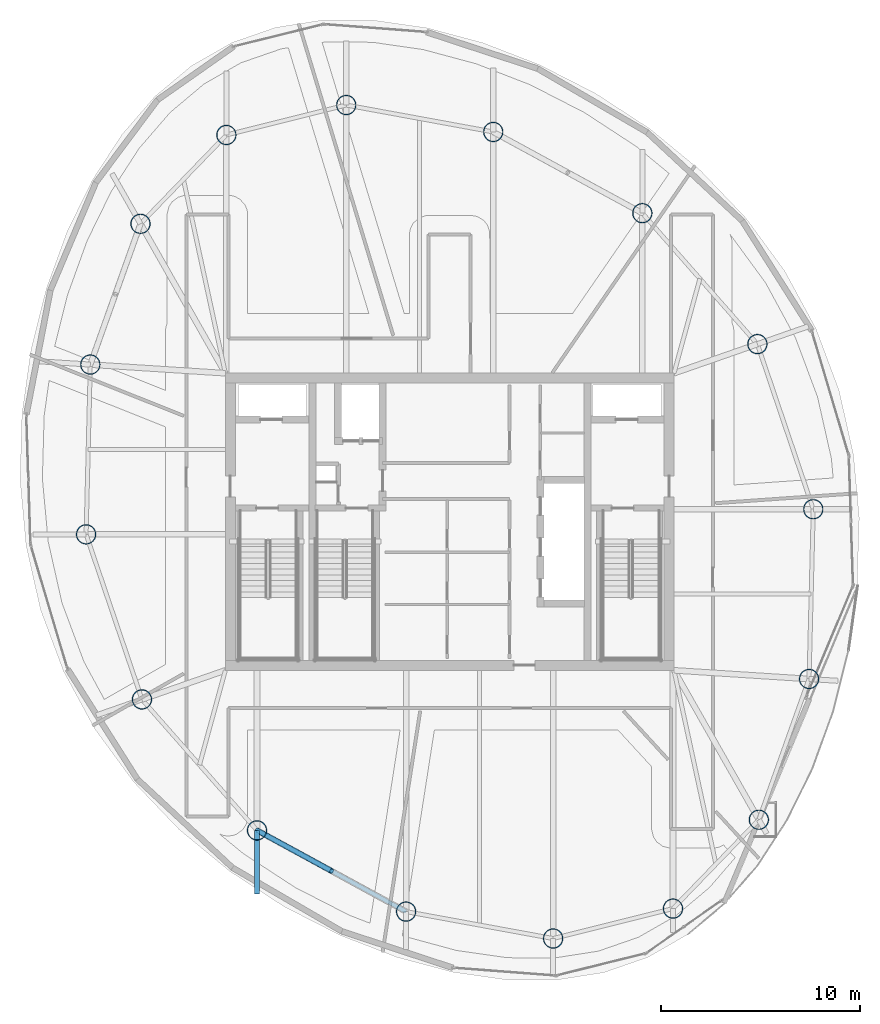
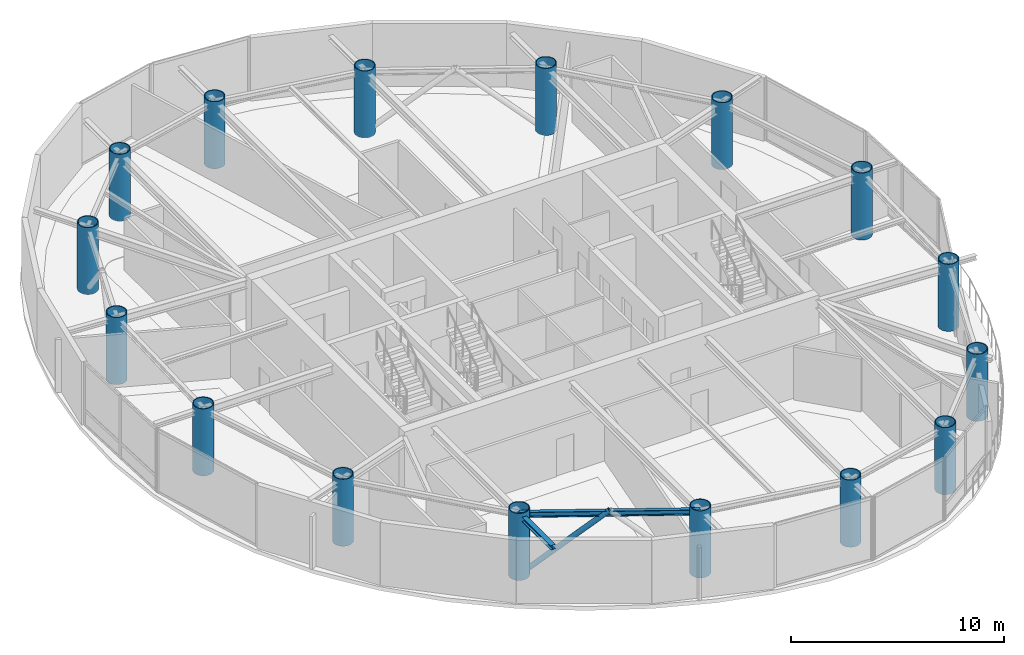
# One storey, part 1 of 23: 16 columns, 2 beams, 1 member.
"""IFC4 building model written with IfcOpenShell, lengths in metres."""

from ifc_helpers import new_model, si_unit, direction, frame, origin, origin_2d, place, context, subcontext, project, spatial, hollow_circle, i_section, extrude, material, material_profile, profile_set, type_object, element, save


model = new_model("IFC4")

# Units and contexts
model_context = context("Model", 3, precision=1e-05, world=origin(), true_north=direction((0.0, 1.0)))
body_context = subcontext(model_context, "Body", "Model", "MODEL_VIEW")
ifc_project = project(units=[si_unit("LENGTHUNIT", "METRE"), si_unit("AREAUNIT", "SQUARE_METRE"), si_unit("VOLUMEUNIT", "CUBIC_METRE"), si_unit("PLANEANGLEUNIT", "RADIAN"), si_unit("MASSUNIT", "GRAM", prefix="KILO")], contexts=[model_context])

# Site, building, storey
site_placement = place(None, origin())
site = spatial("IfcSite", under=ifc_project, at=site_placement, CompositionType="ELEMENT")
building_placement = place(site_placement, origin())
building = spatial("IfcBuilding", under=site, at=building_placement, Name="Bramvorn Convention Spire", CompositionType="ELEMENT")
storey_placement = place(building_placement, frame((0.0, 0.0, 295.949951171875)))
storey = spatial("IfcBuildingStorey", under=building, at=storey_placement, Name="L75", CompositionType="ELEMENT", Elevation=295.949951171875)

# Columns
ifc_material = material(Name="Steel CSA G40.21 Grade 350 (350W)", Category="steel")
ifc_material_profile_1 = material_profile(ifc_material, hollow_circle(Radius=0.5, WallThickness=0.044921875, at=origin_2d()))
ifc_profile_set_1 = profile_set([ifc_material_profile_1], Name="Steel CSA G40.21 Grade 350 (350W) - CFT1000X45")
column_type = type_object("IfcColumnType", Name="COL-CFT1000X45", PredefinedType="COLUMN", material=ifc_profile_set_1)
for number, where, z_axis, x_axis, name in (
    (1, (49.199951171875, 6.60107421875, 0.0), (0.0, 0.0, 1.0), (1.0, 0.0, 0.0), "L75 composite CFT mega-column MC01"),
    (2, (53.50634765625, 11.05615234375, 0.0), (0.0, 0.0, 1.0), (1.0, 0.0, 0.0), "L75 composite CFT mega-column MC02"),
    (3, (56.023681640625, 18.116455078125, 0.0), (0.0, 0.0, 1.0), (1.0, 0.0, 0.0), "L75 composite CFT mega-column MC03"),
    (4, (56.234619140625, 26.62939453125, 0.0), (0.0, 0.0, 1.0), (1.0, 0.0, 0.0), "L75 composite CFT mega-column MC04"),
    (5, (53.4326171875, 34.909912109375, 0.0), (0.0, 0.0, 1.0), (1.0, 0.0, 0.0), "L75 composite CFT mega-column MC05"),
    (6, (47.662353515625, 41.476806640625, 0.0), (0.0, 0.0, 1.0), (1.0, 0.0, 0.0), "L75 composite CFT mega-column MC06"),
    (7, (40.1845703125, 45.55078125, 0.0), (0.0, 0.0, 1.0), (1.0, 0.0, 0.0), "L75 composite CFT mega-column MC07"),
    (8, (32.8115234375, 46.90087890625, 0.0), (0.0, 0.0, 1.0), (1.0, 0.0, 0.0), "L75 composite CFT mega-column MC08"),
    (9, (26.800048828125, 45.39892578125, 0.0), (0.0, 0.0, 1.0), (1.0, 0.0, 0.0), "L75 composite CFT mega-column MC09"),
    (10, (22.49365234375, 40.94384765625, 0.0), (0.0, 0.0, 1.0), (1.0, 0.0, 0.0), "L75 composite CFT mega-column MC10"),
    (11, (19.976318359375, 33.883544921875, 0.0), (0.0, 0.0, 1.0), (1.0, 0.0, 0.0), "L75 composite CFT mega-column MC11"),
    (12, (19.765380859375, 25.37060546875, 0.0), (0.0, 0.0, 1.0), (1.0, 0.0, 0.0), "L75 composite CFT mega-column MC12"),
    (13, (22.5673828125, 17.090087890625, 0.0), (0.0, 0.0, 1.0), (1.0, 0.0, 0.0), "L75 composite CFT mega-column MC13"),
    (14, (28.337646484375, 10.523193359375, 0.0), (0.0, 0.0, 1.0), (1.0, 0.0, 0.0), "L75 composite CFT mega-column MC14"),
    (15, (35.8154296875, 6.44921875, 0.0), (0.0, 0.0, 1.0), (1.0, 0.0, 0.0), "L75 composite CFT mega-column MC15"),
    (16, (43.1884765625, 5.09912109375, 0.0), (0.0, 0.0, 1.0), (1.0, 0.0, 0.0), "L75 composite CFT mega-column MC16"),
):
    element("IfcColumn", number, at=place(storey_placement, frame(where, z_axis=z_axis, x_axis=x_axis)), inside=storey, type_object=column_type, Name=name, PredefinedType="COLUMN", context=body_context, shape_type="SweptSolid", body=[
        extrude(hollow_circle(Radius=0.5, WallThickness=0.044921875, at=origin_2d()), origin(), (0.0, 0.0, 1.0), 3.85009765625),
    ])

# Beams
ifc_material_profile_2 = material_profile(ifc_material, i_section(OverallWidth=0.25390625, OverallDepth=0.2529296875, WebThickness=0.008544921875, FlangeThickness=0.01416015625, FilletRadius=0.011962890625, at=origin_2d()))
ifc_profile_set_2 = profile_set([ifc_material_profile_2], Name="Steel CSA G40.21 Grade 350 (350W) - W250X73")
beam_type_1 = type_object("IfcBeamType", Name="BM-W250X73", PredefinedType="BEAM", material=ifc_profile_set_2)
beam_1_placement = place(storey_placement, frame((28.337646484375, 10.523193359375, 3.49853515625), z_axis=(0.0, -1.0, 0.0), x_axis=(1.0, 0.0, 0.0)))
element("IfcBeam", 17, at=beam_1_placement, inside=storey, type_object=beam_type_1, Name="L75 slab-edge cantilever tip beam MC14", PredefinedType="BEAM", context=body_context, shape_type="SweptSolid", body=[
    extrude(i_section(OverallWidth=0.25390625, OverallDepth=0.2529296875, WebThickness=0.008544921875, FlangeThickness=0.01416015625, FilletRadius=0.011962890625, at=origin_2d()), origin(), (0.0, 0.0, 1.0), 3.199951171875),
])
ifc_material_profile_3 = material_profile(ifc_material, i_section(OverallWidth=0.202880859375, OverallDepth=0.302978515625, WebThickness=0.007568359375, FlangeThickness=0.01318359375, FilletRadius=0.013916015625, at=origin_2d()))
ifc_profile_set_3 = profile_set([ifc_material_profile_3], Name="Steel CSA G40.21 Grade 350 (350W) - W310X60")
beam_type_2 = type_object("IfcBeamType", Name="BM-W310X60", PredefinedType="JOIST", material=ifc_profile_set_3)
beam_2_placement = place(storey_placement, frame((28.337646484375, 10.523193359375, 3.4736328125), z_axis=(0.878133224771, -0.478416178189, 0.0), x_axis=(0.478416178189, 0.878133224771, 0.0)))
element("IfcBeam", 18, at=beam_2_placement, inside=storey, type_object=beam_type_2, Name="L75 mega-column ring beam 14", PredefinedType="JOIST", context=body_context, shape_type="SweptSolid", body=[
    extrude(i_section(OverallWidth=0.202880859375, OverallDepth=0.302978515625, WebThickness=0.007568359375, FlangeThickness=0.01318359375, FilletRadius=0.013916015625, at=origin_2d()), origin(), (0.0, 0.0, 1.0), 8.515625),
])

# Member
ifc_material_profile_4 = material_profile(ifc_material, hollow_circle(Radius=0.136474609375, WallThickness=0.0126953125, at=origin_2d()))
ifc_profile_set_4 = profile_set([ifc_material_profile_4], Name="Steel CSA G40.21 Grade 350 (350W) - CHS273X13")
member_type = type_object("IfcMemberType", Name="MBR-CHS273X13", PredefinedType="BRACE", material=ifc_profile_set_4)
member_placement = place(storey_placement, frame((28.337646484375, 10.523193359375, 0.0), z_axis=(0.668634081548, -0.364288787231, 0.648245435379), x_axis=(0.478426241072, 0.878127742332, 0.0)))
element("IfcMember", 19, at=member_placement, inside=storey, type_object=member_type, Name="L75 perimeter Gothic lancet brace 14A", PredefinedType="BRACE", context=body_context, shape_type="SweptSolid", body=[
    extrude(hollow_circle(Radius=0.136474609375, WallThickness=0.0126953125, at=origin_2d()), origin(), (0.0, 0.0, 1.0), 5.592041015625),
])

save(model, "model.ifc")
